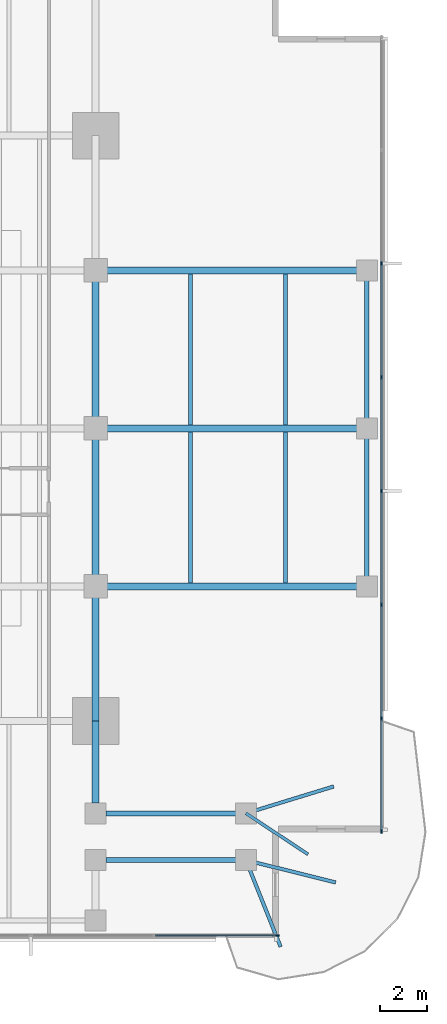
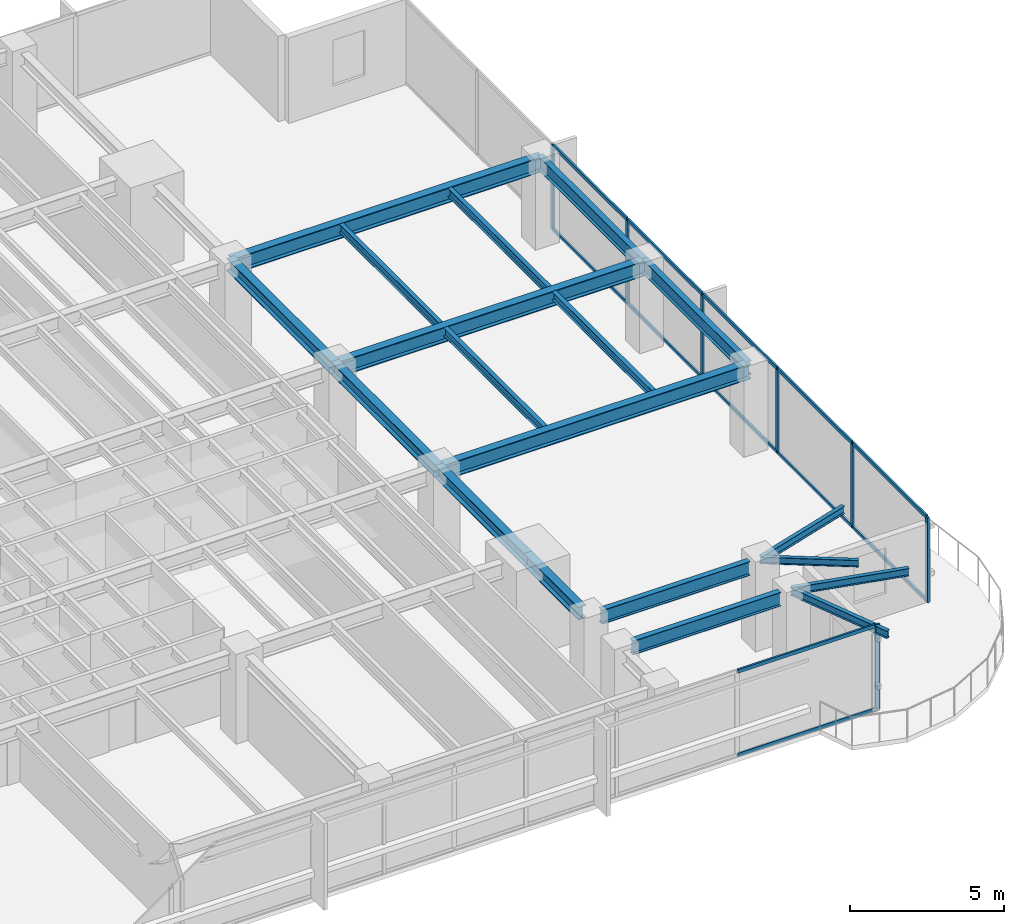
# One storey, part 4 of 14: 19 beams, 19 members, 2 elements without a shape of their own.
"""IFC4 building model written with IfcOpenShell, lengths in metres."""

from ifc_helpers import new_model, si_unit, direction, frame, origin, origin_2d, place, context, subcontext, project, spatial, rectangle, i_section, extrude, material, layer, layer_set, material_profile, profile_set, type_object, element, aggregate, save


model = new_model("IFC4")

# Units and contexts
model_context = context("Model", 3, precision=1e-05, world=origin(), true_north=direction((0.0, 1.0)))
body_context = subcontext(model_context, "Body", "Model", "MODEL_VIEW")
ifc_project = project(units=[si_unit("LENGTHUNIT", "METRE"), si_unit("AREAUNIT", "SQUARE_METRE"), si_unit("VOLUMEUNIT", "CUBIC_METRE"), si_unit("PLANEANGLEUNIT", "RADIAN"), si_unit("MASSUNIT", "GRAM", prefix="KILO")], contexts=[model_context])

# Site, building, storey
site_placement = place(None, origin())
site = spatial("IfcSite", under=ifc_project, at=site_placement, CompositionType="ELEMENT")
building_placement = place(site_placement, origin())
building = spatial("IfcBuilding", under=site, at=building_placement, Name="Kinhvarn Gate Tower", CompositionType="ELEMENT")
storey_placement = place(building_placement, frame((0.0, 0.0, 130.64990234375)))
storey = spatial("IfcBuildingStorey", under=building, at=storey_placement, Name="L34", CompositionType="ELEMENT", Elevation=130.64990234375)

# Curtain wall, member
ifc_material_1 = material(Name="Anodised aluminium AW-6063", Category="aluminium")
ifc_layer = layer(ifc_material_1, 0.179931640625)
ifc_layer_set = layer_set([ifc_layer], Name="Anodised aluminium AW-6063")
curtain_wall_type = type_object("IfcCurtainWallType", Name="CW-SYS-3", PredefinedType="NOTDEFINED", material=ifc_layer_set)
curtain_wall_1_placement = place(storey_placement, origin())
curtain_wall_1 = element("IfcCurtainWall", 1, at=curtain_wall_1_placement, inside=storey, type_object=curtain_wall_type, Name="Curtain Wall CW3 (L34)", PredefinedType="NOTDEFINED")
ifc_material_profile_1 = material_profile(ifc_material_1, rectangle(XDim=0.06494140625, YDim=0.159912109375, at=origin_2d()), Name="ALU 65x160")
ifc_profile_set_1 = profile_set([ifc_material_profile_1], Name="Anodised aluminium AW-6063")
member_type_1 = type_object("IfcMemberType", Name="CW-MUL-160", PredefinedType="MULLION", material=ifc_profile_set_1)
member_1_placement = place(storey_placement, frame((45.967529296875, 3.590087890625, 0.0), z_axis=(0.0, 0.0, 1.0), x_axis=(0.0, 1.0, 0.0)))
member_1 = element("IfcMember", 2, at=member_1_placement, type_object=member_type_1, Name="CW3 mullion 8", PredefinedType="MULLION", context=body_context, shape_type="SweptSolid", body=[
    extrude(rectangle(XDim=0.06494140625, YDim=0.159912109375, at=origin_2d()), origin(), (0.0, 0.0, 1.0), 3.3701171875),
])

# Curtain wall, members
curtain_wall_2_placement = place(storey_placement, origin())
curtain_wall_2 = element("IfcCurtainWall", 3, at=curtain_wall_2_placement, inside=storey, type_object=curtain_wall_type, Name="Curtain Wall CW3 (L34)", PredefinedType="NOTDEFINED")
member_2_placement = place(storey_placement, frame((50.409912109375, 8.032470703125, 0.0), z_axis=(0.0, 0.0, 1.0), x_axis=(-1.0, 0.0, 0.0)))
member_2 = element("IfcMember", 4, at=member_2_placement, type_object=member_type_1, Name="CW3 mullion 1", PredefinedType="MULLION", context=body_context, shape_type="SweptSolid", body=[
    extrude(rectangle(XDim=0.06494140625, YDim=0.159912109375, at=origin_2d()), origin(), (0.0, 0.0, 1.0), 3.3701171875),
])
member_3_placement = place(storey_placement, frame((50.409912109375, 12.857177734375, 0.0), z_axis=(0.0, 0.0, 1.0), x_axis=(-1.0, 0.0, 0.0)))
member_3 = element("IfcMember", 5, at=member_3_placement, type_object=member_type_1, Name="CW3 mullion 2", PredefinedType="MULLION", context=body_context, shape_type="SweptSolid", body=[
    extrude(rectangle(XDim=0.06494140625, YDim=0.159912109375, at=origin_2d()), origin(), (0.0, 0.0, 1.0), 3.3701171875),
])
member_4_placement = place(storey_placement, frame((50.409912109375, 17.71435546875, 0.0), z_axis=(0.0, 0.0, 1.0), x_axis=(-1.0, 0.0, 0.0)))
member_4 = element("IfcMember", 6, at=member_4_placement, type_object=member_type_1, Name="CW3 mullion 3", PredefinedType="MULLION", context=body_context, shape_type="SweptSolid", body=[
    extrude(rectangle(XDim=0.06494140625, YDim=0.159912109375, at=origin_2d()), origin(), (0.0, 0.0, 1.0), 3.3701171875),
])
member_5_placement = place(storey_placement, frame((50.409912109375, 22.571533203125, 0.0), z_axis=(0.0, 0.0, 1.0), x_axis=(-1.0, 0.0, 0.0)))
member_5 = element("IfcMember", 7, at=member_5_placement, type_object=member_type_1, Name="CW3 mullion 4", PredefinedType="MULLION", context=body_context, shape_type="SweptSolid", body=[
    extrude(rectangle(XDim=0.06494140625, YDim=0.159912109375, at=origin_2d()), origin(), (0.0, 0.0, 1.0), 3.3701171875),
])
member_6_placement = place(storey_placement, frame((50.409912109375, 27.428466796875, 0.0), z_axis=(0.0, 0.0, 1.0), x_axis=(-1.0, 0.0, 0.0)))
member_6 = element("IfcMember", 8, at=member_6_placement, type_object=member_type_1, Name="CW3 mullion 5", PredefinedType="MULLION", context=body_context, shape_type="SweptSolid", body=[
    extrude(rectangle(XDim=0.06494140625, YDim=0.159912109375, at=origin_2d()), origin(), (0.0, 0.0, 1.0), 3.3701171875),
])
member_7_placement = place(storey_placement, frame((50.409912109375, 32.28564453125, 0.0), z_axis=(0.0, 0.0, 1.0), x_axis=(-1.0, 0.0, 0.0)))
member_7 = element("IfcMember", 9, at=member_7_placement, type_object=member_type_1, Name="CW3 mullion 6", PredefinedType="MULLION", context=body_context, shape_type="SweptSolid", body=[
    extrude(rectangle(XDim=0.06494140625, YDim=0.159912109375, at=origin_2d()), origin(), (0.0, 0.0, 1.0), 3.3701171875),
])

# Member
ifc_material_profile_2 = material_profile(ifc_material_1, rectangle(XDim=0.070068359375, YDim=0.139892578125, at=origin_2d()), Name="ALU 70x140")
ifc_profile_set_2 = profile_set([ifc_material_profile_2], Name="Anodised aluminium AW-6063")
member_type_2 = type_object("IfcMemberType", Name="CW-TRN-140", PredefinedType="USERDEFINED", material=ifc_profile_set_2)
member_8_placement = place(storey_placement, frame((40.746826171875, 3.590087890625, 0.03515625), z_axis=(1.0, 0.0, 0.0), x_axis=(0.0, 1.0, 0.0)))
member_8 = element("IfcMember", 10, at=member_8_placement, type_object=member_type_2, Name="CW3 transom 7.1", ObjectType="TRANSOM", PredefinedType="USERDEFINED", context=body_context, shape_type="SweptSolid", body=[
    extrude(rectangle(XDim=0.070068359375, YDim=0.139892578125, at=origin_2d()), origin(), (0.0, 0.0, 1.0), 5.188232421875),
])

member_9_placement = place(storey_placement, frame((40.746826171875, 3.590087890625, 3.335205078125), z_axis=(1.0, 0.0, 0.0), x_axis=(0.0, 1.0, 0.0)))
member_9 = element("IfcMember", 11, at=member_9_placement, type_object=member_type_2, Name="CW3 transom 7.2", ObjectType="TRANSOM", PredefinedType="USERDEFINED", context=body_context, shape_type="SweptSolid", body=[
    extrude(rectangle(XDim=0.070068359375, YDim=0.139892578125, at=origin_2d()), origin(), (0.0, 0.0, 1.0), 5.188232421875),
])

aggregate(curtain_wall_1, [member_1, member_8, member_9])

member_10_placement = place(storey_placement, frame((50.409912109375, 8.06494140625, 0.03515625), z_axis=(0.0, 1.0, 0.0), x_axis=(-1.0, 0.0, 0.0)))
member_10 = element("IfcMember", 12, at=member_10_placement, type_object=member_type_2, Name="CW3 transom 1.1", ObjectType="TRANSOM", PredefinedType="USERDEFINED", context=body_context, shape_type="SweptSolid", body=[
    extrude(rectangle(XDim=0.070068359375, YDim=0.139892578125, at=origin_2d()), origin(), (0.0, 0.0, 1.0), 4.759765625),
])

member_11_placement = place(storey_placement, frame((50.409912109375, 8.06494140625, 3.335205078125), z_axis=(0.0, 1.0, 0.0), x_axis=(-1.0, 0.0, 0.0)))
member_11 = element("IfcMember", 13, at=member_11_placement, type_object=member_type_2, Name="CW3 transom 1.2", ObjectType="TRANSOM", PredefinedType="USERDEFINED", context=body_context, shape_type="SweptSolid", body=[
    extrude(rectangle(XDim=0.070068359375, YDim=0.139892578125, at=origin_2d()), origin(), (0.0, 0.0, 1.0), 4.759765625),
])

member_12_placement = place(storey_placement, frame((50.409912109375, 12.8896484375, 0.03515625), z_axis=(0.0, 1.0, 0.0), x_axis=(-1.0, 0.0, 0.0)))
member_12 = element("IfcMember", 14, at=member_12_placement, type_object=member_type_2, Name="CW3 transom 2.1", ObjectType="TRANSOM", PredefinedType="USERDEFINED", context=body_context, shape_type="SweptSolid", body=[
    extrude(rectangle(XDim=0.070068359375, YDim=0.139892578125, at=origin_2d()), origin(), (0.0, 0.0, 1.0), 4.792236328125),
])

member_13_placement = place(storey_placement, frame((50.409912109375, 12.8896484375, 3.335205078125), z_axis=(0.0, 1.0, 0.0), x_axis=(-1.0, 0.0, 0.0)))
member_13 = element("IfcMember", 15, at=member_13_placement, type_object=member_type_2, Name="CW3 transom 2.2", ObjectType="TRANSOM", PredefinedType="USERDEFINED", context=body_context, shape_type="SweptSolid", body=[
    extrude(rectangle(XDim=0.070068359375, YDim=0.139892578125, at=origin_2d()), origin(), (0.0, 0.0, 1.0), 4.792236328125),
])

member_14_placement = place(storey_placement, frame((50.409912109375, 17.746826171875, 0.03515625), z_axis=(0.0, 1.0, 0.0), x_axis=(-1.0, 0.0, 0.0)))
member_14 = element("IfcMember", 16, at=member_14_placement, type_object=member_type_2, Name="CW3 transom 3.1", ObjectType="TRANSOM", PredefinedType="USERDEFINED", context=body_context, shape_type="SweptSolid", body=[
    extrude(rectangle(XDim=0.070068359375, YDim=0.139892578125, at=origin_2d()), origin(), (0.0, 0.0, 1.0), 4.7919921875),
])

member_15_placement = place(storey_placement, frame((50.409912109375, 17.746826171875, 3.335205078125), z_axis=(0.0, 1.0, 0.0), x_axis=(-1.0, 0.0, 0.0)))
member_15 = element("IfcMember", 17, at=member_15_placement, type_object=member_type_2, Name="CW3 transom 3.2", ObjectType="TRANSOM", PredefinedType="USERDEFINED", context=body_context, shape_type="SweptSolid", body=[
    extrude(rectangle(XDim=0.070068359375, YDim=0.139892578125, at=origin_2d()), origin(), (0.0, 0.0, 1.0), 4.7919921875),
])

member_16_placement = place(storey_placement, frame((50.409912109375, 22.60400390625, 0.03515625), z_axis=(0.0, 1.0, 0.0), x_axis=(-1.0, 0.0, 0.0)))
member_16 = element("IfcMember", 18, at=member_16_placement, type_object=member_type_2, Name="CW3 transom 4.1", ObjectType="TRANSOM", PredefinedType="USERDEFINED", context=body_context, shape_type="SweptSolid", body=[
    extrude(rectangle(XDim=0.070068359375, YDim=0.139892578125, at=origin_2d()), origin(), (0.0, 0.0, 1.0), 4.7919921875),
])

member_17_placement = place(storey_placement, frame((50.409912109375, 22.60400390625, 3.335205078125), z_axis=(0.0, 1.0, 0.0), x_axis=(-1.0, 0.0, 0.0)))
member_17 = element("IfcMember", 19, at=member_17_placement, type_object=member_type_2, Name="CW3 transom 4.2", ObjectType="TRANSOM", PredefinedType="USERDEFINED", context=body_context, shape_type="SweptSolid", body=[
    extrude(rectangle(XDim=0.070068359375, YDim=0.139892578125, at=origin_2d()), origin(), (0.0, 0.0, 1.0), 4.7919921875),
])

member_18_placement = place(storey_placement, frame((50.409912109375, 27.461181640625, 0.03515625), z_axis=(0.0, 1.0, 0.0), x_axis=(-1.0, 0.0, 0.0)))
member_18 = element("IfcMember", 20, at=member_18_placement, type_object=member_type_2, Name="CW3 transom 5.1", ObjectType="TRANSOM", PredefinedType="USERDEFINED", context=body_context, shape_type="SweptSolid", body=[
    extrude(rectangle(XDim=0.070068359375, YDim=0.139892578125, at=origin_2d()), origin(), (0.0, 0.0, 1.0), 4.7919921875),
])

member_19_placement = place(storey_placement, frame((50.409912109375, 27.461181640625, 3.335205078125), z_axis=(0.0, 1.0, 0.0), x_axis=(-1.0, 0.0, 0.0)))
member_19 = element("IfcMember", 21, at=member_19_placement, type_object=member_type_2, Name="CW3 transom 5.2", ObjectType="TRANSOM", PredefinedType="USERDEFINED", context=body_context, shape_type="SweptSolid", body=[
    extrude(rectangle(XDim=0.070068359375, YDim=0.139892578125, at=origin_2d()), origin(), (0.0, 0.0, 1.0), 4.7919921875),
])

aggregate(curtain_wall_2, [member_2, member_3, member_4, member_5, member_6, member_7, member_10, member_11, member_12, member_13, member_14, member_15, member_16, member_17, member_18, member_19])

# Beams
ifc_material_2 = material(Name="Steel S355", Category="steel")
ifc_material_profile_3 = material_profile(ifc_material_2, i_section(OverallWidth=0.300048828125, OverallDepth=0.5, WebThickness=0.014404296875, FlangeThickness=0.028076171875, at=origin_2d()), Name="HEB 500")
ifc_profile_set_3 = profile_set([ifc_material_profile_3], Name="Steel S355")
beam_type_1 = type_object("IfcBeamType", Name="STL-HEB500", PredefinedType="BEAM", material=ifc_profile_set_3)
beam_1_placement = place(storey_placement, frame((38.199951171875, 9.235107421875, 3.1201171875), z_axis=(0.0, 1.0, 0.0), x_axis=(-1.0, 0.0, 0.0)))
element("IfcBeam", 22, at=beam_1_placement, inside=storey, type_object=beam_type_1, Name="Floor Beam PG-14 (L34 MCE-S-A2)", PredefinedType="BEAM", context=body_context, shape_type="SweptSolid", body=[
    extrude(i_section(OverallWidth=0.300048828125, OverallDepth=0.5, WebThickness=0.014404296875, FlangeThickness=0.028076171875, at=origin_2d()), origin(), (0.0, 0.0, 1.0), 3.514892578125),
])
beam_2_placement = place(storey_placement, frame((38.199951171875, 12.75, 3.1201171875), z_axis=(0.0, 1.0, 0.0), x_axis=(-1.0, 0.0, 0.0)))
element("IfcBeam", 23, at=beam_2_placement, inside=storey, type_object=beam_type_1, Name="Floor Beam PG-14 (L34 MG-E-12)", PredefinedType="BEAM", context=body_context, shape_type="SweptSolid", body=[
    extrude(i_section(OverallWidth=0.300048828125, OverallDepth=0.5, WebThickness=0.014404296875, FlangeThickness=0.028076171875, at=origin_2d()), origin(), (0.0, 0.0, 1.0), 5.75),
])
for number, where, z_axis, x_axis, name in (
    (24, (38.199951171875, 18.5, 3.1201171875), (0.0, 1.0, 0.0), (-1.0, 0.0, 0.0), "Floor Beam PG-14 (L34 MG-E-18)"),
    (25, (38.199951171875, 25.25, 3.1201171875), (0.0, 1.0, 0.0), (-1.0, 0.0, 0.0), "Floor Beam PG-14 (L34 MG-E-25)"),
):
    element("IfcBeam", number, at=place(storey_placement, frame(where, z_axis=z_axis, x_axis=x_axis)), inside=storey, type_object=beam_type_1, Name=name, PredefinedType="BEAM", context=body_context, shape_type="SweptSolid", body=[
        extrude(i_section(OverallWidth=0.300048828125, OverallDepth=0.5, WebThickness=0.014404296875, FlangeThickness=0.028076171875, at=origin_2d()), origin(), (0.0, 0.0, 1.0), 6.75),
    ])
ifc_material_profile_4 = material_profile(ifc_material_2, i_section(OverallWidth=0.300048828125, OverallDepth=0.60009765625, WebThickness=0.015380859375, FlangeThickness=0.030029296875, at=origin_2d()), Name="HEB 600")
ifc_profile_set_4 = profile_set([ifc_material_profile_4], Name="Steel S355")
beam_type_2 = type_object("IfcBeamType", Name="STL-HEB600", PredefinedType="BEAM", material=ifc_profile_set_4)
for number, where, z_axis, x_axis, name in (
    (26, (38.199951171875, 18.5, 3.070068359375), (1.0, 0.0, 0.0), (0.0, 1.0, 0.0), "Floor Beam PG-16 (L34 EW2-Y18)"),
    (27, (38.199951171875, 25.25, 3.070068359375), (1.0, 0.0, 0.0), (0.0, 1.0, 0.0), "Floor Beam PG-16 (L34 EW2-Y25)"),
    (28, (38.199951171875, 32.0, 3.070068359375), (1.0, 0.0, 0.0), (0.0, 1.0, 0.0), "Floor Beam PG-16 (L34 EW2-Y32)"),
):
    element("IfcBeam", number, at=place(storey_placement, frame(where, z_axis=z_axis, x_axis=x_axis)), inside=storey, type_object=beam_type_2, Name=name, PredefinedType="BEAM", context=body_context, shape_type="SweptSolid", body=[
        extrude(i_section(OverallWidth=0.300048828125, OverallDepth=0.60009765625, WebThickness=0.015380859375, FlangeThickness=0.030029296875, at=origin_2d()), origin(), (0.0, 0.0, 1.0), 11.580078125),
    ])
ifc_material_profile_5 = material_profile(ifc_material_2, i_section(OverallWidth=0.135009765625, OverallDepth=0.27001953125, WebThickness=0.006591796875, FlangeThickness=0.01025390625, at=origin_2d()), Name="IPE 270")
ifc_profile_set_5 = profile_set([ifc_material_profile_5], Name="Steel S355")
beam_type_3 = type_object("IfcBeamType", Name="STL-IPE270", PredefinedType="JOIST", material=ifc_profile_set_5)
beam_3_placement = place(storey_placement, frame((44.6201171875, 8.800048828125, 3.235107421875), z_axis=(0.834455271211, -0.5510756757, 0.0), x_axis=(0.5510756757, 0.834455271211, 0.0)))
element("IfcBeam", 29, at=beam_3_placement, inside=storey, type_object=beam_type_3, Name="Floor Joist SB-01 (L34 BAL-B3-L35)", PredefinedType="JOIST", context=body_context, shape_type="SweptSolid", body=[
    extrude(i_section(OverallWidth=0.135009765625, OverallDepth=0.27001953125, WebThickness=0.006591796875, FlangeThickness=0.01025390625, at=origin_2d()), origin(), (0.0, 0.0, 1.0), 3.175537109375),
])
ifc_material_profile_6 = material_profile(ifc_material_2, i_section(OverallWidth=0.14990234375, OverallDepth=0.300048828125, WebThickness=0.007080078125, FlangeThickness=0.0107421875, at=origin_2d()), Name="IPE 300")
ifc_profile_set_6 = profile_set([ifc_material_profile_6], Name="Steel S355")
beam_type_4 = type_object("IfcBeamType", Name="STL-IPE300", PredefinedType="JOIST", material=ifc_profile_set_6)
beam_4_placement = place(storey_placement, frame((44.6201171875, 6.800048828125, 3.22021484375), z_axis=(0.97058851083, -0.240744558911, 0.0), x_axis=(0.240744558911, 0.97058851083, 0.0)))
element("IfcBeam", 30, at=beam_4_placement, inside=storey, type_object=beam_type_4, Name="Floor Joist SB-02 (L34 BAL-B1-L35)", PredefinedType="JOIST", context=body_context, shape_type="SweptSolid", body=[
    extrude(i_section(OverallWidth=0.14990234375, OverallDepth=0.300048828125, WebThickness=0.007080078125, FlangeThickness=0.0107421875, at=origin_2d()), origin(), (0.0, 0.0, 1.0), 3.94580078125),
])
beam_5_placement = place(storey_placement, frame((44.6201171875, 6.800048828125, 3.22021484375), z_axis=(0.371390676354, -0.928476690885, 0.0), x_axis=(0.928476690885, 0.371390676354, 0.0)))
element("IfcBeam", 31, at=beam_5_placement, inside=storey, type_object=beam_type_4, Name="Floor Joist SB-02 (L34 BAL-B2-L35)", PredefinedType="JOIST", context=body_context, shape_type="SweptSolid", body=[
    extrude(i_section(OverallWidth=0.14990234375, OverallDepth=0.300048828125, WebThickness=0.007080078125, FlangeThickness=0.0107421875, at=origin_2d()), origin(), (0.0, 0.0, 1.0), 3.98486328125),
])
beam_6_placement = place(storey_placement, frame((44.6201171875, 8.800048828125, 3.22021484375), z_axis=(0.95606118681, 0.293167199862, 0.0), x_axis=(-0.293167199862, 0.95606118681, 0.0)))
element("IfcBeam", 32, at=beam_6_placement, inside=storey, type_object=beam_type_4, Name="Floor Joist SB-02 (L34 BAL-B5-L35)", PredefinedType="JOIST", context=body_context, shape_type="SweptSolid", body=[
    extrude(i_section(OverallWidth=0.14990234375, OverallDepth=0.300048828125, WebThickness=0.007080078125, FlangeThickness=0.0107421875, at=origin_2d()), origin(), (0.0, 0.0, 1.0), 3.92236328125),
])
ifc_material_profile_7 = material_profile(ifc_material_2, i_section(OverallWidth=0.159912109375, OverallDepth=0.330078125, WebThickness=0.007568359375, FlangeThickness=0.011474609375, at=origin_2d()), Name="IPE 330")
ifc_profile_set_7 = profile_set([ifc_material_profile_7], Name="Steel S355")
beam_type_5 = type_object("IfcBeamType", Name="STL-IPE330", PredefinedType="JOIST", material=ifc_profile_set_7)
for number, where, z_axis, x_axis, name in (
    (33, (42.25, 18.64990234375, 3.205078125), (0.0, 1.0, 0.0), (-1.0, 0.0, 0.0), "Floor Joist SB-03 (L34 JC-X422-1)"),
    (34, (42.25, 25.39990234375, 3.205078125), (0.0, 1.0, 0.0), (-1.0, 0.0, 0.0), "Floor Joist SB-03 (L34 JC-X422-2)"),
    (35, (46.31005859375, 18.64990234375, 3.205078125), (0.0, 1.0, 0.0), (-1.0, 0.0, 0.0), "Floor Joist SB-03 (L34 JC-X463-1)"),
    (36, (46.31005859375, 25.39990234375, 3.205078125), (0.0, 1.0, 0.0), (-1.0, 0.0, 0.0), "Floor Joist SB-03 (L34 JC-X463-2)"),
):
    element("IfcBeam", number, at=place(storey_placement, frame(where, z_axis=z_axis, x_axis=x_axis)), inside=storey, type_object=beam_type_5, Name=name, PredefinedType="JOIST", context=body_context, shape_type="SweptSolid", body=[
        extrude(i_section(OverallWidth=0.159912109375, OverallDepth=0.330078125, WebThickness=0.007568359375, FlangeThickness=0.011474609375, at=origin_2d()), origin(), (0.0, 0.0, 1.0), 6.4501953125),
    ])
ifc_material_profile_8 = material_profile(ifc_material_2, i_section(OverallWidth=0.2099609375, OverallDepth=0.550048828125, WebThickness=0.010986328125, FlangeThickness=0.01708984375, at=origin_2d()), Name="IPE 550")
ifc_profile_set_8 = profile_set([ifc_material_profile_8], Name="Steel S355")
beam_type_6 = type_object("IfcBeamType", Name="STL-IPE550", PredefinedType="SPANDREL", material=ifc_profile_set_8)
for number, where, z_axis, x_axis, name in (
    (37, (38.635009765625, 8.800048828125, 3.09521484375), (1.0, 0.0, 0.0), (0.0, 1.0, 0.0), "Floor Spandrel SB-08 (L34 SP-SE2)"),
    (38, (38.635009765625, 6.800048828125, 3.09521484375), (1.0, 0.0, 0.0), (0.0, 1.0, 0.0), "Floor Spandrel SB-08 (L34 SP-SE2-S)"),
):
    element("IfcBeam", number, at=place(storey_placement, frame(where, z_axis=z_axis, x_axis=x_axis)), inside=storey, type_object=beam_type_6, Name=name, PredefinedType="SPANDREL", context=body_context, shape_type="SweptSolid", body=[
        extrude(i_section(OverallWidth=0.2099609375, OverallDepth=0.550048828125, WebThickness=0.010986328125, FlangeThickness=0.01708984375, at=origin_2d()), origin(), (0.0, 0.0, 1.0), 5.550048828125),
    ])
for number, where, z_axis, x_axis, name in (
    (39, (49.780029296875, 18.5, 3.09521484375), (0.0, 1.0, 0.0), (-1.0, 0.0, 0.0), "Floor Spandrel SB-08 (L34 SP-E2)"),
    (40, (49.780029296875, 25.25, 3.09521484375), (0.0, 1.0, 0.0), (-1.0, 0.0, 0.0), "Floor Spandrel SB-08 (L34 SP-E3)"),
):
    element("IfcBeam", number, at=place(storey_placement, frame(where, z_axis=z_axis, x_axis=x_axis)), inside=storey, type_object=beam_type_6, Name=name, PredefinedType="SPANDREL", context=body_context, shape_type="SweptSolid", body=[
        extrude(i_section(OverallWidth=0.2099609375, OverallDepth=0.550048828125, WebThickness=0.010986328125, FlangeThickness=0.01708984375, at=origin_2d()), origin(), (0.0, 0.0, 1.0), 6.75),
    ])

save(model, "model.ifc")
